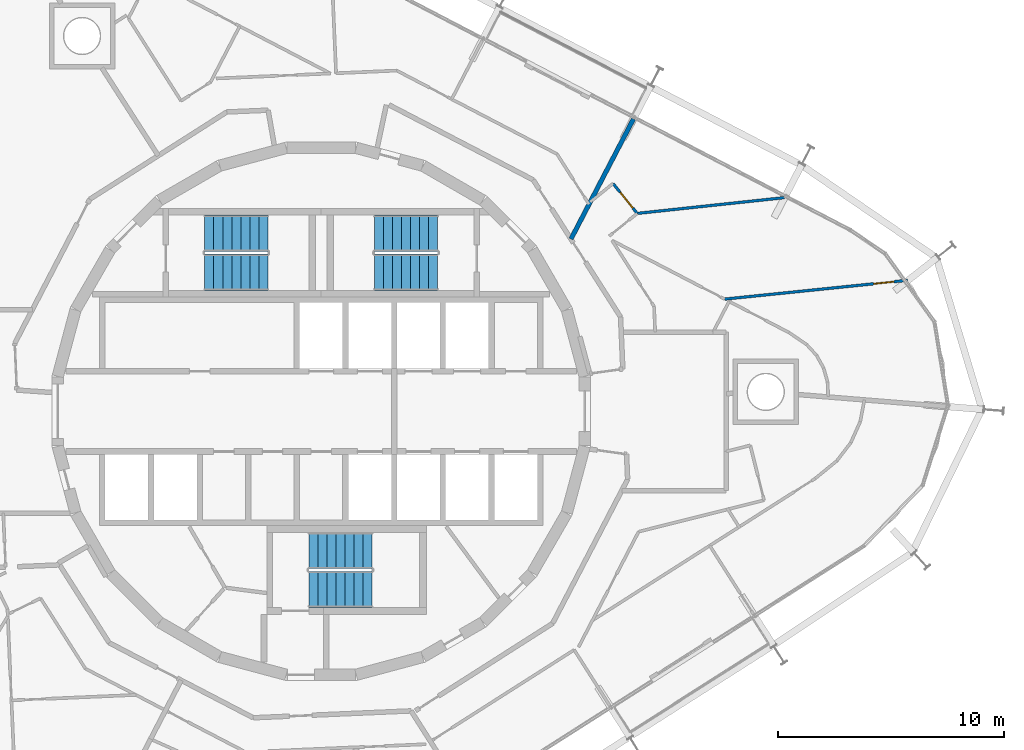
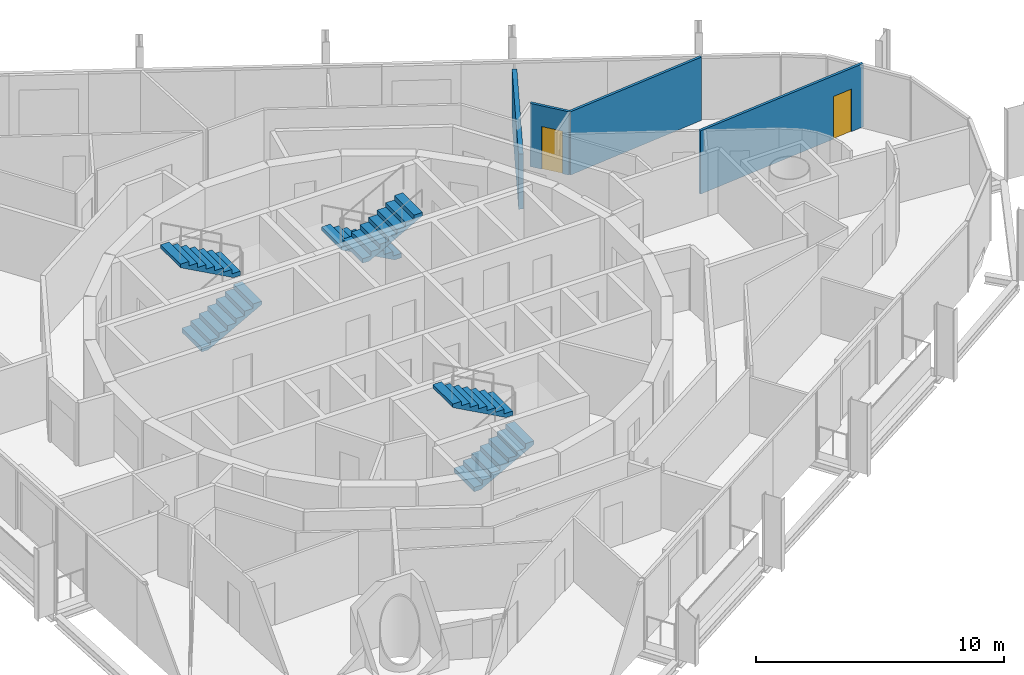
# One storey, part 17 of 18: 6 stair flights, 4 walls, 2 doors, 2 openings, 3 elements without a shape of their own.
"""IFC4 building model written with IfcOpenShell, lengths in metres."""

from ifc_helpers import new_model, si_unit, direction, frame, frame_2d, origin, place, context, subcontext, project, spatial, polyline, rectangle, outline, extrude, material, layer, layer_set, type_object, element, fill, aggregate, save


model = new_model("IFC4")

# Units and contexts
model_context = context("Model", 3, precision=1e-05, world=origin(), true_north=direction((0.0, 1.0)))
body_context = subcontext(model_context, "Body", "Model", "MODEL_VIEW")
ifc_project = project(units=[si_unit("LENGTHUNIT", "METRE"), si_unit("AREAUNIT", "SQUARE_METRE"), si_unit("VOLUMEUNIT", "CUBIC_METRE"), si_unit("PLANEANGLEUNIT", "RADIAN"), si_unit("MASSUNIT", "GRAM", prefix="KILO")], contexts=[model_context])

# Site, building, storey
site_placement = place(None, origin())
site = spatial("IfcSite", under=ifc_project, at=site_placement, CompositionType="ELEMENT")
building_placement = place(site_placement, origin())
building = spatial("IfcBuilding", under=site, at=building_placement, Name="Spindle Arch Residences", CompositionType="ELEMENT")
storey_placement = place(building_placement, frame((0.0, 0.0, 247.699951171875)))
storey = spatial("IfcBuildingStorey", under=building, at=storey_placement, Name="L63", CompositionType="ELEMENT", Elevation=247.699951171875)

# Wall, opening, door
ifc_material_1 = material(Name="Plasterboard on steel studs", Category="steel")
ifc_layer_1 = layer(ifc_material_1, 0.1201171875)
ifc_layer_set_1 = layer_set([ifc_layer_1], Name="Flat partition 120")
wall_type_1 = type_object("IfcWallType", Name="Flat partition 120", PredefinedType="PARTITIONING", material=ifc_layer_set_1)
wall_1_placement = place(storey_placement, frame((13.968505859375, 8.747314453125, 0.0), z_axis=(0.0, 0.0, 1.0), x_axis=(-0.629359312443, 0.777114441921, 0.0)))
wall_1 = element("IfcWall", 1, at=wall_1_placement, inside=storey, type_object=wall_type_1, Name="Flat partition R6C0-W045", PredefinedType="PARTITIONING", context=body_context, shape_type="SweptSolid", body=[
    extrude(rectangle(XDim=1.7001953125, YDim=0.1201171875, at=frame_2d((0.85009765625, 0.0))), origin(), (0.0, 0.0, 1.0), 3.1201171875),
])
opening_1_placement = place(wall_1_placement, frame((0.300048828125, 0.0, 0.0)))
opening_1 = element("IfcOpeningElement", 2, at=opening_1_placement, cuts=wall_1, Name="Opening R6C0-ID03", PredefinedType="OPENING", context=body_context, shape_type="SweptSolid", body=[
    extrude(rectangle(XDim=0.89990234375, YDim=2.10009765625, at=frame_2d((0.449951171875, 1.050048828125))), frame((0.0, 0.070068359375, 0.0), z_axis=(0.0, -1.0, 0.0), x_axis=(1.0, 0.0, 0.0)), (0.0, 0.0, 1.0), 0.14013671875),
])
ifc_material_2 = material(Name="Timber door set", Category="wood")
door_type = type_object("IfcDoorType", Name="Room door 900x2100", OperationType="NOTDEFINED", PredefinedType="DOOR", material=ifc_material_2)
door_1_placement = place(opening_1_placement, origin())
door_1 = element("IfcDoor", 3, at=door_1_placement, inside=storey, type_object=door_type, Name="Room door R6C0-ID03", OperationType="SINGLE_SWING_LEFT", OverallHeight=2.10009765625, OverallWidth=0.89990234375, PredefinedType="DOOR", context=body_context, shape_type="SweptSolid", body=[
    extrude(rectangle(XDim=0.89990234375, YDim=2.10009765625, at=frame_2d((0.449951171875, 1.050048828125))), frame((0.0, 0.02490234375, 0.0), z_axis=(0.0, -1.0, 0.0), x_axis=(1.0, 0.0, 0.0)), (0.0, 0.0, 1.0), 0.050048828125),
])
fill(opening_1, door_1)

wall_2_placement = place(storey_placement, frame((25.907958984375, 5.7900390625, 0.0), z_axis=(0.0, 0.0, 1.0), x_axis=(-0.994752982456, -0.102305932847, 0.0)))
wall_2 = element("IfcWall", 4, at=wall_2_placement, inside=storey, type_object=wall_type_1, Name="Flat partition R6C0-W053", PredefinedType="PARTITIONING", context=body_context, shape_type="SweptSolid", body=[
    extrude(rectangle(XDim=8.115966796875, YDim=0.1201171875, at=frame_2d((4.05810546875, 0.0))), origin(), (0.0, 0.0, 1.0), 3.1201171875),
])
opening_2_placement = place(wall_2_placement, frame((0.60009765625, 0.0, 0.0)))
opening_2 = element("IfcOpeningElement", 5, at=opening_2_placement, cuts=wall_2, Name="Opening R6C0-ID04", PredefinedType="OPENING", context=body_context, shape_type="SweptSolid", body=[
    extrude(rectangle(XDim=0.89990234375, YDim=2.10009765625, at=frame_2d((0.449951171875, 1.050048828125))), frame((0.0, 0.070068359375, 0.0), z_axis=(0.0, -1.0, 0.0), x_axis=(1.0, 0.0, 0.0)), (0.0, 0.0, 1.0), 0.14013671875),
])
door_2_placement = place(opening_2_placement, origin())
door_2 = element("IfcDoor", 6, at=door_2_placement, inside=storey, type_object=door_type, Name="Room door R6C0-ID04", OperationType="SINGLE_SWING_LEFT", OverallHeight=2.10009765625, OverallWidth=0.89990234375, PredefinedType="DOOR", context=body_context, shape_type="SweptSolid", body=[
    extrude(rectangle(XDim=0.89990234375, YDim=2.10009765625, at=frame_2d((0.449951171875, 1.050048828125))), frame((0.0, 0.02490234375, 0.0), z_axis=(0.0, -1.0, 0.0), x_axis=(1.0, 0.0, 0.0)), (0.0, 0.0, 1.0), 0.050048828125),
])
fill(opening_2, door_2)

# Walls
wall_3_placement = place(storey_placement, frame((20.480224609375, 9.44482421875, 0.0), z_axis=(0.0, 0.0, 1.0), x_axis=(-0.994311974195, -0.106506797776, 0.0)))
element("IfcWall", 7, at=wall_3_placement, inside=storey, type_object=wall_type_1, Name="Flat partition R6C0-W056", PredefinedType="PARTITIONING", context=body_context, shape_type="SweptSolid", body=[
    extrude(rectangle(XDim=6.549072265625, YDim=0.1201171875, at=frame_2d((3.2744140625, 0.0))), origin(), (0.0, 0.0, 1.0), 3.1201171875),
])
ifc_material_3 = material(Name="Calcium silicate block, plastered")
ifc_layer_2 = layer(ifc_material_3, 0.199951171875)
ifc_layer_set_2 = layer_set([ifc_layer_2], Name="Flat party wall 200 under beam 2730")
wall_type_2 = type_object("IfcWallType", Name="Flat party wall 200 under beam 2730", PredefinedType="STANDARD", material=ifc_layer_set_2)
wall_4_placement = place(storey_placement, frame((13.801025390625, 12.921875, 0.0), z_axis=(0.0, 0.0, 1.0), x_axis=(-0.461726485624, -0.887022351733, 0.0)))
element("IfcWall", 8, at=wall_4_placement, inside=storey, type_object=wall_type_2, Name="Flat party wall R6C0-W030", PredefinedType="STANDARD", context=body_context, shape_type="SweptSolid", body=[
    extrude(rectangle(XDim=5.984375, YDim=0.199951171875, at=frame_2d((2.9921875, 0.0))), origin(), (0.0, 0.0, 1.0), 2.72998046875),
])

# Stair, stair flights
ifc_material_4 = material(Name="Concrete C50/60", Category="concrete")
stair_type = type_object("IfcStairType", Name="Exit stair 16 risers", PredefinedType="HALF_TURN_STAIR", material=ifc_material_4)
stair_1_placement = place(storey_placement, origin())
stair_1 = element("IfcStair", 9, at=stair_1_placement, inside=storey, type_object=stair_type, Name="L63 Exit stair ST1", PredefinedType="HALF_TURN_STAIR")
ifc_material_5 = material(Name="Concrete C50/60", Category="concrete")
stair_flight_type = type_object("IfcStairFlightType", Name="Exit stair flight", PredefinedType="STRAIGHT", material=ifc_material_5)
stair_flight_1_placement = place(storey_placement, frame((5.14990234375, 7.8701171875, 0.0), z_axis=(0.0, 0.0, 1.0), x_axis=(-1.0, 0.0, 0.0)))
stair_flight_1 = element("IfcStairFlight", 10, at=stair_flight_1_placement, type_object=stair_flight_type, Name="ST1 flight 1", NumberOfRisers=8, NumberOfTreads=7, PredefinedType="STRAIGHT", RiserHeight=0.21875, TreadLength=0.4, context=body_context, shape_type="SweptSolid", body=[
    extrude(outline(polyline([(0.0, 0.0), (0.0, 0.21875), (0.39990234375, 0.21875), (0.39990234375, 0.4375), (0.800048828125, 0.4375), (0.800048828125, 0.65625), (1.199951171875, 0.65625), (1.199951171875, 0.875), (1.60009765625, 0.875), (1.60009765625, 1.09375), (2.0, 1.09375), (2.0, 1.3125), (2.39990234375, 1.3125), (2.39990234375, 1.53125), (2.800048828125, 1.53125), (2.800048828125, 1.75), (2.800048828125, 1.3603515625), (0.3125, 0.0), (0.0, 0.0)])), frame((0.0, 0.800048828125, 0.0), z_axis=(0.0, -1.0, 0.0), x_axis=(1.0, 0.0, 0.0)), (0.0, 0.0, 1.0), 1.60009765625),
])
stair_flight_2_placement = place(storey_placement, frame((2.35009765625, 6.14990234375, 1.75), z_axis=(0.0, 0.0, 1.0), x_axis=(1.0, 0.0, 0.0)))
stair_flight_2 = element("IfcStairFlight", 11, at=stair_flight_2_placement, type_object=stair_flight_type, Name="ST1 flight 2", NumberOfRisers=8, NumberOfTreads=7, PredefinedType="STRAIGHT", RiserHeight=0.21875, TreadLength=0.4, context=body_context, shape_type="SweptSolid", body=[
    extrude(outline(polyline([(0.0, 0.0), (0.0, 0.21875), (0.39990234375, 0.21875), (0.39990234375, 0.4375), (0.800048828125, 0.4375), (0.800048828125, 0.65625), (1.199951171875, 0.65625), (1.199951171875, 0.875), (1.60009765625, 0.875), (1.60009765625, 1.09375), (2.0, 1.09375), (2.0, 1.3125), (2.39990234375, 1.3125), (2.39990234375, 1.53125), (2.800048828125, 1.53125), (2.800048828125, 1.75), (2.800048828125, 1.3603515625), (0.3125, 0.0), (0.0, 0.0)])), frame((0.0, 0.800048828125, 0.0), z_axis=(0.0, -1.0, 0.0), x_axis=(1.0, 0.0, 0.0)), (0.0, 0.0, 1.0), 1.60009765625),
])
aggregate(stair_1, [stair_flight_1, stair_flight_2])

stair_2_placement = place(storey_placement, origin())
stair_2 = element("IfcStair", 12, at=stair_2_placement, inside=storey, type_object=stair_type, Name="L63 Exit stair ST2", PredefinedType="HALF_TURN_STAIR")
stair_flight_3_placement = place(storey_placement, frame((-5.14990234375, 6.14990234375, 0.0), z_axis=(0.0, 0.0, 1.0), x_axis=(1.0, 0.0, 0.0)))
stair_flight_3 = element("IfcStairFlight", 13, at=stair_flight_3_placement, type_object=stair_flight_type, Name="ST2 flight 1", NumberOfRisers=8, NumberOfTreads=7, PredefinedType="STRAIGHT", RiserHeight=0.21875, TreadLength=0.4, context=body_context, shape_type="SweptSolid", body=[
    extrude(outline(polyline([(0.0, 0.0), (0.0, 0.21875), (0.39990234375, 0.21875), (0.39990234375, 0.4375), (0.800048828125, 0.4375), (0.800048828125, 0.65625), (1.199951171875, 0.65625), (1.199951171875, 0.875), (1.60009765625, 0.875), (1.60009765625, 1.09375), (2.0, 1.09375), (2.0, 1.3125), (2.39990234375, 1.3125), (2.39990234375, 1.53125), (2.800048828125, 1.53125), (2.800048828125, 1.75), (2.800048828125, 1.3603515625), (0.3125, 0.0), (0.0, 0.0)])), frame((0.0, 0.800048828125, 0.0), z_axis=(0.0, -1.0, 0.0), x_axis=(1.0, 0.0, 0.0)), (0.0, 0.0, 1.0), 1.60009765625),
])
stair_flight_4_placement = place(storey_placement, frame((-2.35009765625, 7.8701171875, 1.75), z_axis=(0.0, 0.0, 1.0), x_axis=(-1.0, 0.0, 0.0)))
stair_flight_4 = element("IfcStairFlight", 14, at=stair_flight_4_placement, type_object=stair_flight_type, Name="ST2 flight 2", NumberOfRisers=8, NumberOfTreads=7, PredefinedType="STRAIGHT", RiserHeight=0.21875, TreadLength=0.4, context=body_context, shape_type="SweptSolid", body=[
    extrude(outline(polyline([(0.0, 0.0), (0.0, 0.21875), (0.39990234375, 0.21875), (0.39990234375, 0.4375), (0.800048828125, 0.4375), (0.800048828125, 0.65625), (1.199951171875, 0.65625), (1.199951171875, 0.875), (1.60009765625, 0.875), (1.60009765625, 1.09375), (2.0, 1.09375), (2.0, 1.3125), (2.39990234375, 1.3125), (2.39990234375, 1.53125), (2.800048828125, 1.53125), (2.800048828125, 1.75), (2.800048828125, 1.3603515625), (0.3125, 0.0), (0.0, 0.0)])), frame((0.0, 0.800048828125, 0.0), z_axis=(0.0, -1.0, 0.0), x_axis=(1.0, 0.0, 0.0)), (0.0, 0.0, 1.0), 1.60009765625),
])
aggregate(stair_2, [stair_flight_3, stair_flight_4])

stair_3_placement = place(storey_placement, origin())
stair_3 = element("IfcStair", 15, at=stair_3_placement, inside=storey, type_object=stair_type, Name="L63 Exit stair ST3", PredefinedType="HALF_TURN_STAIR")
stair_flight_5_placement = place(storey_placement, frame((-0.550048828125, -7.8701171875, 0.0), z_axis=(0.0, 0.0, 1.0), x_axis=(1.0, 0.0, 0.0)))
stair_flight_5 = element("IfcStairFlight", 16, at=stair_flight_5_placement, type_object=stair_flight_type, Name="ST3 flight 1", NumberOfRisers=8, NumberOfTreads=7, PredefinedType="STRAIGHT", RiserHeight=0.21875, TreadLength=0.4, context=body_context, shape_type="SweptSolid", body=[
    extrude(outline(polyline([(0.0, 0.0), (0.0, 0.21875), (0.39990234375, 0.21875), (0.39990234375, 0.4375), (0.800048828125, 0.4375), (0.800048828125, 0.65625), (1.199951171875, 0.65625), (1.199951171875, 0.875), (1.60009765625, 0.875), (1.60009765625, 1.09375), (2.0, 1.09375), (2.0, 1.3125), (2.39990234375, 1.3125), (2.39990234375, 1.53125), (2.800048828125, 1.53125), (2.800048828125, 1.75), (2.800048828125, 1.3603515625), (0.3125, 0.0), (0.0, 0.0)])), frame((0.0, 0.800048828125, 0.0), z_axis=(0.0, -1.0, 0.0), x_axis=(1.0, 0.0, 0.0)), (0.0, 0.0, 1.0), 1.60009765625),
])
stair_flight_6_placement = place(storey_placement, frame((2.25, -6.14990234375, 1.75), z_axis=(0.0, 0.0, 1.0), x_axis=(-1.0, 0.0, 0.0)))
stair_flight_6 = element("IfcStairFlight", 17, at=stair_flight_6_placement, type_object=stair_flight_type, Name="ST3 flight 2", NumberOfRisers=8, NumberOfTreads=7, PredefinedType="STRAIGHT", RiserHeight=0.21875, TreadLength=0.4, context=body_context, shape_type="SweptSolid", body=[
    extrude(outline(polyline([(0.0, 0.0), (0.0, 0.21875), (0.39990234375, 0.21875), (0.39990234375, 0.4375), (0.800048828125, 0.4375), (0.800048828125, 0.65625), (1.199951171875, 0.65625), (1.199951171875, 0.875), (1.60009765625, 0.875), (1.60009765625, 1.09375), (2.0, 1.09375), (2.0, 1.3125), (2.39990234375, 1.3125), (2.39990234375, 1.53125), (2.800048828125, 1.53125), (2.800048828125, 1.75), (2.800048828125, 1.3603515625), (0.3125, 0.0), (0.0, 0.0)])), frame((0.0, 0.800048828125, 0.0), z_axis=(0.0, -1.0, 0.0), x_axis=(1.0, 0.0, 0.0)), (0.0, 0.0, 1.0), 1.60009765625),
])
aggregate(stair_3, [stair_flight_5, stair_flight_6])

save(model, "model.ifc")
